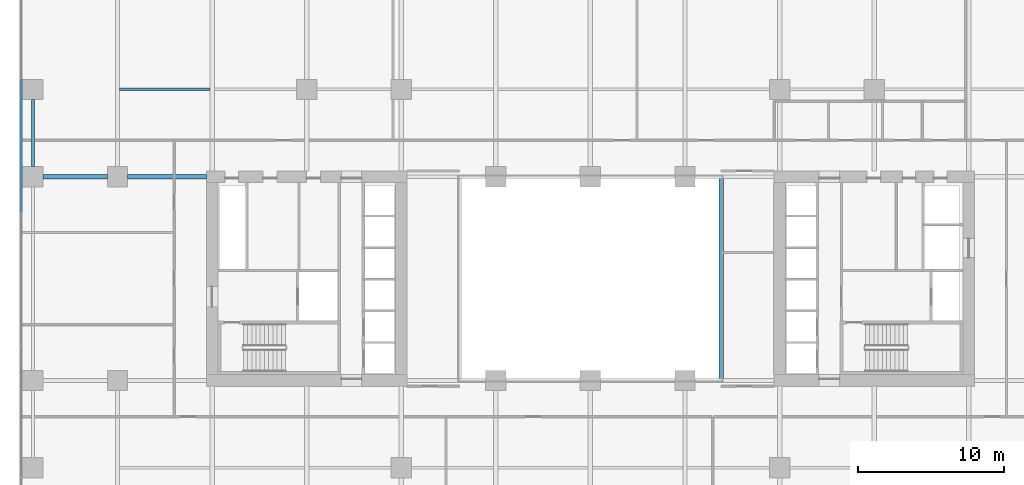
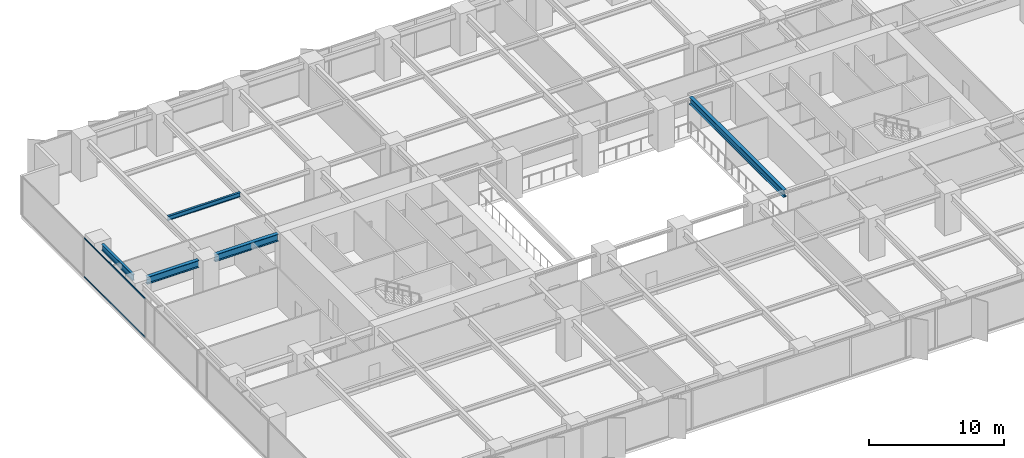
# One storey, part 6 of 20: 5 beams, 2 members, 1 element without a shape of its own.
"""IFC4 building model written with IfcOpenShell, lengths in metres."""

from ifc_helpers import new_model, si_unit, direction, frame, origin, origin_2d, place, context, subcontext, project, spatial, rectangle, i_section, extrude, material, layer, layer_set, material_profile, profile_set, type_object, element, aggregate, save


model = new_model("IFC4")

# Units and contexts
model_context = context("Model", 3, precision=1e-05, world=origin(), true_north=direction((0.0, 1.0)))
body_context = subcontext(model_context, "Body", "Model", "MODEL_VIEW")
ifc_project = project(units=[si_unit("LENGTHUNIT", "METRE"), si_unit("AREAUNIT", "SQUARE_METRE"), si_unit("VOLUMEUNIT", "CUBIC_METRE"), si_unit("PLANEANGLEUNIT", "RADIAN"), si_unit("MASSUNIT", "GRAM", prefix="KILO")], contexts=[model_context])

# Site, building, storey
site_placement = place(None, origin())
site = spatial("IfcSite", under=ifc_project, at=site_placement, CompositionType="ELEMENT")
building_placement = place(site_placement, origin())
building = spatial("IfcBuilding", under=site, at=building_placement, Name="Putna Gate Headquarters", CompositionType="ELEMENT")
storey_placement = place(building_placement, frame((0.0, 0.0, 54.39990234375)))
storey = spatial("IfcBuildingStorey", under=building, at=storey_placement, Name="L12", CompositionType="ELEMENT", Elevation=54.39990234375)

# Beams
ifc_material_1 = material(Name="Steel S355J2", Category="steel")
ifc_material_profile_1 = material_profile(ifc_material_1, i_section(OverallWidth=0.300048828125, OverallDepth=0.64990234375, WebThickness=0.01611328125, FlangeThickness=0.031005859375, at=origin_2d()), Name="Steel S355J2")
ifc_profile_set_1 = profile_set([ifc_material_profile_1], Name="Steel S355J2")
beam_type_1 = type_object("IfcBeamType", Name="BM-GIRD-Z1-HEB650", PredefinedType="USERDEFINED", material=ifc_profile_set_1)
beam_1_placement = place(storey_placement, frame((1.367919921875, 33.0, 3.22509765625), z_axis=(1.0, 0.0, 0.0), x_axis=(0.0, 1.0, 0.0)))
element("IfcBeam", 1, at=beam_1_placement, inside=storey, type_object=beam_type_1, Name="L12 West Wing Girder Y33-1", ObjectType="GIRDER", PredefinedType="USERDEFINED", context=body_context, shape_type="SweptSolid", body=[
    extrude(i_section(OverallWidth=0.300048828125, OverallDepth=0.64990234375, WebThickness=0.01611328125, FlangeThickness=0.031005859375, at=origin_2d()), origin(), (0.0, 0.0, 1.0), 4.444091796875),
])
beam_2_placement = place(storey_placement, frame((7.18798828125, 33.0, 3.22509765625), z_axis=(1.0, 0.0, 0.0), x_axis=(0.0, 1.0, 0.0)))
element("IfcBeam", 2, at=beam_2_placement, inside=storey, type_object=beam_type_1, Name="L12 West Wing Girder Y33-2", ObjectType="GIRDER", PredefinedType="USERDEFINED", context=body_context, shape_type="SweptSolid", body=[
    extrude(i_section(OverallWidth=0.300048828125, OverallDepth=0.64990234375, WebThickness=0.01611328125, FlangeThickness=0.031005859375, at=origin_2d()), origin(), (0.0, 0.0, 1.0), 5.427001953125),
])
beam_3_placement = place(storey_placement, frame((48.0, 19.010009765625, 3.22509765625), z_axis=(0.0, 1.0, 0.0), x_axis=(-1.0, 0.0, 0.0)))
element("IfcBeam", 3, at=beam_3_placement, inside=storey, type_object=beam_type_1, Name="L12 Atrium Trim Girder AE", ObjectType="GIRDER", PredefinedType="USERDEFINED", context=body_context, shape_type="SweptSolid", body=[
    extrude(i_section(OverallWidth=0.300048828125, OverallDepth=0.64990234375, WebThickness=0.01611328125, FlangeThickness=0.031005859375, at=origin_2d()), origin(), (0.0, 0.0, 1.0), 13.97998046875),
])
ifc_material_profile_2 = material_profile(ifc_material_1, i_section(OverallWidth=0.179931640625, OverallDepth=0.39990234375, WebThickness=0.008544921875, FlangeThickness=0.013427734375, at=origin_2d()), Name="Steel S355J2")
ifc_profile_set_2 = profile_set([ifc_material_profile_2], Name="Steel S355J2")
beam_type_2 = type_object("IfcBeamType", Name="BM-SEC-Z1-IPE400", PredefinedType="BEAM", material=ifc_profile_set_2)
beam_4_placement = place(storey_placement, frame((6.654052734375, 39.0, 3.35009765625), z_axis=(1.0, 0.0, 0.0), x_axis=(0.0, 1.0, 0.0)))
element("IfcBeam", 4, at=beam_4_placement, inside=storey, type_object=beam_type_2, Name="L12 North Secondary Beam 1", PredefinedType="BEAM", context=body_context, shape_type="SweptSolid", body=[
    extrude(i_section(OverallWidth=0.179931640625, OverallDepth=0.39990234375, WebThickness=0.008544921875, FlangeThickness=0.013427734375, at=origin_2d()), origin(), (0.0, 0.0, 1.0), 6.19189453125),
])
ifc_material_profile_3 = material_profile(ifc_material_1, i_section(OverallWidth=0.2099609375, OverallDepth=0.550048828125, WebThickness=0.010986328125, FlangeThickness=0.01708984375, at=origin_2d()), Name="Steel S355J2")
ifc_profile_set_3 = profile_set([ifc_material_profile_3], Name="Steel S355J2")
beam_type_3 = type_object("IfcBeamType", Name="BM-SPAN-Z1-IPE550", PredefinedType="SPANDREL", material=ifc_profile_set_3)
beam_5_placement = place(storey_placement, frame((0.679931640625, 33.68798828125, 3.275146484375), z_axis=(0.0, 1.0, 0.0), x_axis=(-1.0, 0.0, 0.0)))
element("IfcBeam", 5, at=beam_5_placement, inside=storey, type_object=beam_type_3, Name="L12 W End Spandrel 3", PredefinedType="SPANDREL", context=body_context, shape_type="SweptSolid", body=[
    extrude(i_section(OverallWidth=0.2099609375, OverallDepth=0.550048828125, WebThickness=0.010986328125, FlangeThickness=0.01708984375, at=origin_2d()), origin(), (0.0, 0.0, 1.0), 4.6240234375),
])

# Curtain wall, members
ifc_material_2 = material(Name="Anodised bronze aluminium curtain wall", Category="aluminium")
ifc_layer = layer(ifc_material_2, 0.179931640625)
ifc_layer_set = layer_set([ifc_layer], Name="Anodised bronze aluminium curtain wall")
curtain_wall_type = type_object("IfcCurtainWallType", Name="CW-SYS-Z1", PredefinedType="USERDEFINED", material=ifc_layer_set)
curtain_wall_placement = place(storey_placement, origin())
curtain_wall = element("IfcCurtainWall", 6, at=curtain_wall_placement, inside=storey, type_object=curtain_wall_type, Name="L12 West Curtain Wall", ObjectType="STICK CURTAIN WALL", PredefinedType="USERDEFINED")
ifc_material_3 = material(Name="Anodised bronze aluminium EN AW-6060", Category="aluminium")
ifc_material_profile_4 = material_profile(ifc_material_3, rectangle(XDim=0.06494140625, YDim=0.1201171875, at=origin_2d()), Name="Anodised bronze aluminium EN AW-6060")
ifc_profile_set_4 = profile_set([ifc_material_profile_4], Name="Anodised bronze aluminium EN AW-6060")
member_type = type_object("IfcMemberType", Name="TRAN-CWT-1", PredefinedType="USERDEFINED", material=ifc_profile_set_4)
member_1_placement = place(storey_placement, frame((-0.1201171875, 30.594970703125, 0.03271484375), z_axis=(0.0, 1.0, 0.0), x_axis=(-1.0, 0.0, 0.0)))
member_1 = element("IfcMember", 7, at=member_1_placement, type_object=member_type, Name="CWS-1 transom 4.1", ObjectType="TRANSOM", PredefinedType="USERDEFINED", context=body_context, shape_type="SweptSolid", body=[
    extrude(rectangle(XDim=0.06494140625, YDim=0.1201171875, at=origin_2d()), origin(), (0.0, 0.0, 1.0), 9.050048828125),
])
member_2_placement = place(storey_placement, frame((-0.1201171875, 30.594970703125, 3.517578125), z_axis=(0.0, 1.0, 0.0), x_axis=(-1.0, 0.0, 0.0)))
member_2 = element("IfcMember", 8, at=member_2_placement, type_object=member_type, Name="CWS-1 transom 4.2", ObjectType="TRANSOM", PredefinedType="USERDEFINED", context=body_context, shape_type="SweptSolid", body=[
    extrude(rectangle(XDim=0.06494140625, YDim=0.1201171875, at=origin_2d()), origin(), (0.0, 0.0, 1.0), 9.050048828125),
])
aggregate(curtain_wall, [member_1, member_2])

save(model, "model.ifc")
